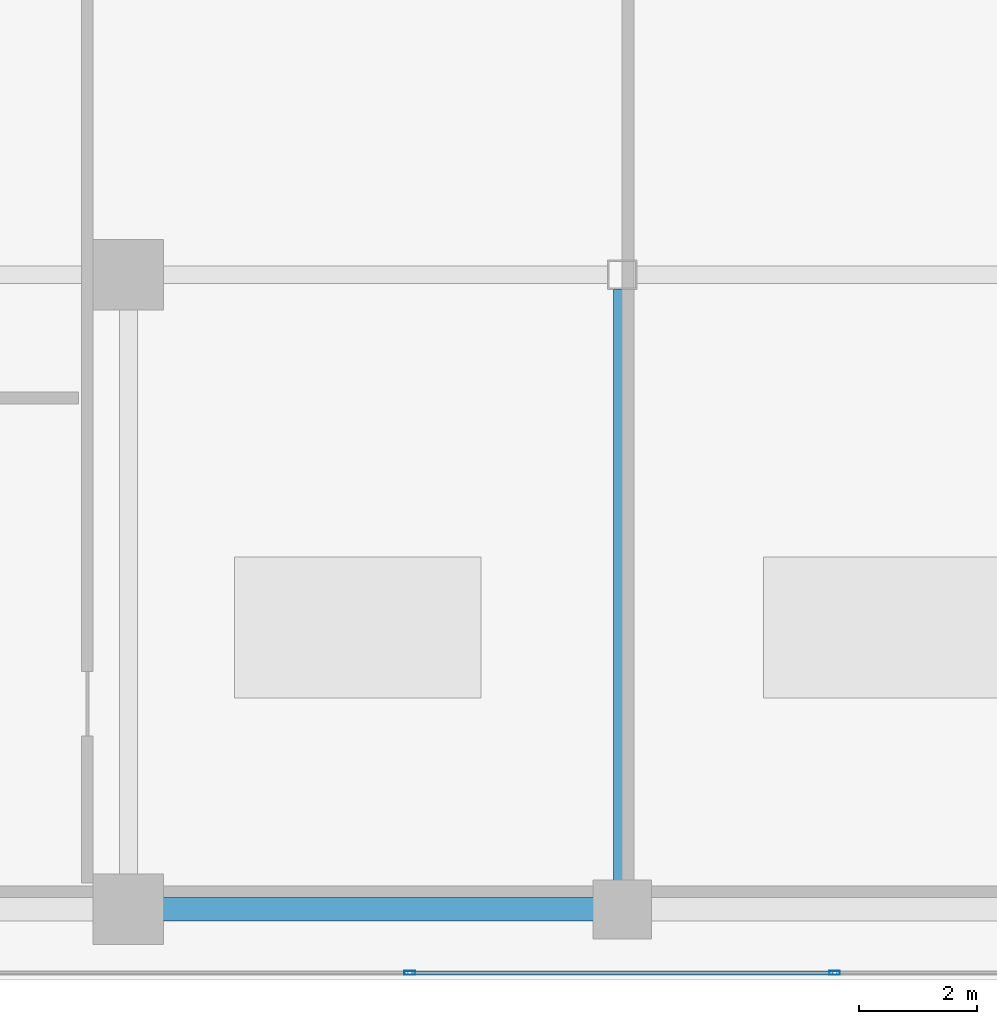
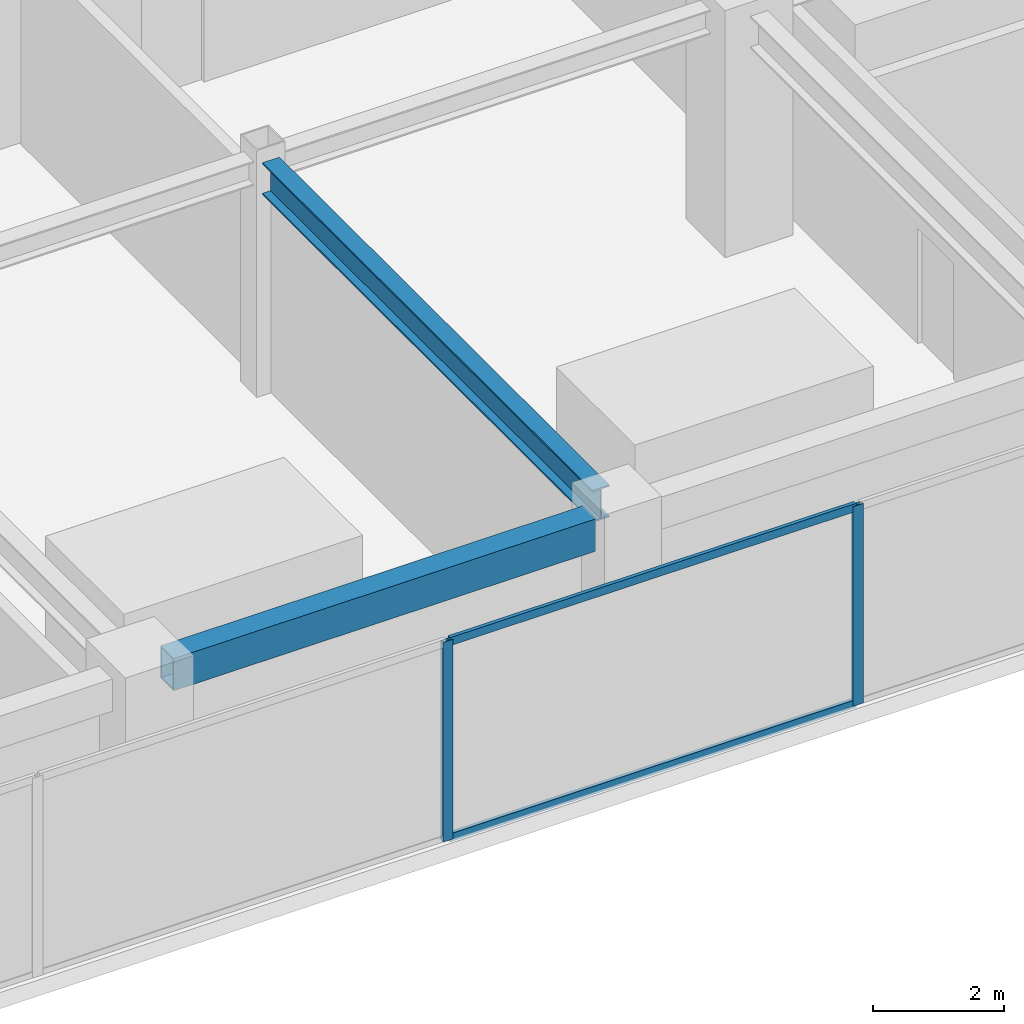
# One storey, part 5 of 19: 4 members, 2 beams, 1 element without a shape of its own.
"""IFC4 building model written with IfcOpenShell, lengths in metres."""

from ifc_helpers import new_model, si_unit, direction, frame, origin, origin_2d, place, context, subcontext, project, spatial, hollow_rectangle, i_section, extrude, source, transform, mapped, material, layer, layer_set, material_profile, profile_set, type_object, element, aggregate, save


model = new_model("IFC4")

# Units and contexts
model_context = context("Model", 3, precision=1e-05, world=origin(), true_north=direction((0.0, 1.0)))
body_context = subcontext(model_context, "Body", "Model", "MODEL_VIEW")
ifc_project = project(units=[si_unit("LENGTHUNIT", "METRE"), si_unit("AREAUNIT", "SQUARE_METRE"), si_unit("VOLUMEUNIT", "CUBIC_METRE"), si_unit("PLANEANGLEUNIT", "RADIAN"), si_unit("MASSUNIT", "GRAM", prefix="KILO")], contexts=[model_context])

# Site, building, storey
site_placement = place(None, origin())
site = spatial("IfcSite", under=ifc_project, at=site_placement, CompositionType="ELEMENT")
building_placement = place(site_placement, origin())
building = spatial("IfcBuilding", under=site, at=building_placement, Name="Sumidabori Civic Tower", CompositionType="ELEMENT")
storey_placement = place(building_placement, frame((0.0, 0.0, 293.60009765625)))
storey = spatial("IfcBuildingStorey", under=building, at=storey_placement, Name="L77", CompositionType="ELEMENT", Elevation=293.60009765625)

# Beams
ifc_material_1 = material(Name="Steel SN490", Category="steel")
ifc_material_profile_1 = material_profile(ifc_material_1, i_section(OverallWidth=0.300048828125, OverallDepth=0.60009765625, WebThickness=0.015380859375, FlangeThickness=0.030029296875, at=origin_2d()), Name="HE 600 B")
ifc_profile_set_1 = profile_set([ifc_material_profile_1], Name="Steel SN490")
beam_type_1 = type_object("IfcBeamType", Name="BM-GIRD-600", PredefinedType="BEAM", material=ifc_profile_set_1)
shared_shape_1 = source(origin(), body_context, "Body", "SweptSolid", [
    extrude(i_section(OverallWidth=0.300048828125, OverallDepth=0.60009765625, WebThickness=0.015380859375, FlangeThickness=0.030029296875, at=origin_2d()), origin(), (0.0, 0.0, 1.0), 10.070068359375),
])
beam_1_placement = place(storey_placement, frame((0.0, -10.320068359375, 4.039794921875), z_axis=(0.0, 1.0, 0.0), x_axis=(-1.0, 0.0, 0.0)))
element("IfcBeam", 1, at=beam_1_placement, inside=storey, type_object=beam_type_1, Name="Primary Girder L77 GY-06", PredefinedType="BEAM", context=body_context, shape_type="MappedRepresentation", body=[
    mapped(shared_shape_1, transform((0.0, 0.0, 0.0), x_axis=(1.0, 0.0, 0.0), y_axis=(0.0, 1.0, 0.0), z_axis=(0.0, 0.0, 1.0), scale=1.0)),
])
ifc_material_profile_2 = material_profile(ifc_material_1, hollow_rectangle(XDim=0.39990234375, YDim=0.60009765625, WallThickness=0.02490234375, at=origin_2d()), Name="RHS 600x400x25")
ifc_profile_set_2 = profile_set([ifc_material_profile_2], Name="Steel SN490")
beam_type_2 = type_object("IfcBeamType", Name="BM-CRN-RING", PredefinedType="BEAM", material=ifc_profile_set_2)
shared_shape_2 = source(origin(), body_context, "Body", "SweptSolid", [
    extrude(hollow_rectangle(XDim=0.39990234375, YDim=0.60009765625, WallThickness=0.02490234375, at=origin_2d()), origin(), (0.0, 0.0, 1.0), 7.43994140625),
])
beam_2_placement = place(storey_placement, frame((-7.919921875, -10.800048828125, 4.039794921875), z_axis=(1.0, 0.0, 0.0), x_axis=(0.0, 1.0, 0.0)))
element("IfcBeam", 2, at=beam_2_placement, inside=storey, type_object=beam_type_2, Name="Crown Base Ring Beam BR-1-02", PredefinedType="BEAM", context=body_context, shape_type="MappedRepresentation", body=[
    mapped(shared_shape_2, transform((0.0, 0.0, 0.0), x_axis=(1.0, 0.0, 0.0), y_axis=(0.0, 1.0, 0.0), z_axis=(0.0, 0.0, 1.0), scale=1.0)),
])

# Curtain wall, members
ifc_material_2 = material(Name="Anodised Bronze Aluminium AW-6063-T6", Category="aluminium")
ifc_layer = layer(ifc_material_2, 0.179931640625, Name="Anodised Bronze Aluminium AW-6063-T6")
ifc_layer_set = layer_set([ifc_layer], Name="Anodised Bronze Aluminium AW-6063-T6")
curtain_wall_type = type_object("IfcCurtainWallType", Name="CW-SYS-6", PredefinedType="NOTDEFINED", material=ifc_layer_set)
curtain_wall_placement = place(storey_placement, origin())
curtain_wall = element("IfcCurtainWall", 3, at=curtain_wall_placement, inside=storey, type_object=curtain_wall_type, Name="Curtain Wall CW:L77:R01", PredefinedType="NOTDEFINED")
ifc_material_profile_3 = material_profile(ifc_material_2, hollow_rectangle(XDim=0.06494140625, YDim=0.14990234375, WallThickness=0.0048828125, at=origin_2d()), Name="ALU TRANSOM 150x65")
ifc_profile_set_3 = profile_set([ifc_material_profile_3], Name="Anodised Bronze Aluminium AW-6063-T6")
member_type_1 = type_object("IfcMemberType", Name="CW-TRN-150", PredefinedType="USERDEFINED", material=ifc_profile_set_3)
shared_shape_3 = source(origin(), body_context, "Body", "SweptSolid", [
    extrude(hollow_rectangle(XDim=0.06494140625, YDim=0.14990234375, WallThickness=0.0048828125, at=origin_2d()), origin(), (0.0, 0.0, 1.0), 7.158203125),
])
member_1_placement = place(storey_placement, frame((-3.5791015625, -11.8798828125, 0.032470703125), z_axis=(1.0, 0.0, 0.0), x_axis=(0.0, 1.0, 0.0)))
member_1 = element("IfcMember", 4, at=member_1_placement, type_object=member_type_1, Name="CW-6 transom 3.1", ObjectType="TRANSOM", PredefinedType="USERDEFINED", context=body_context, shape_type="MappedRepresentation", body=[
    mapped(shared_shape_3, transform((0.0, 0.0, 0.0), x_axis=(1.0, 0.0, 0.0), y_axis=(0.0, 1.0, 0.0), z_axis=(0.0, 0.0, 1.0), scale=1.0)),
])
member_2_placement = place(storey_placement, frame((-3.5791015625, -11.8798828125, 3.6875), z_axis=(1.0, 0.0, 0.0), x_axis=(0.0, 1.0, 0.0)))
member_2 = element("IfcMember", 5, at=member_2_placement, type_object=member_type_1, Name="CW-6 transom 3.2", ObjectType="TRANSOM", PredefinedType="USERDEFINED", context=body_context, shape_type="MappedRepresentation", body=[
    mapped(shared_shape_3, transform((0.0, 0.0, 0.0), x_axis=(1.0, 0.0, 0.0), y_axis=(0.0, 1.0, 0.0), z_axis=(0.0, 0.0, 1.0), scale=1.0)),
])
ifc_material_profile_4 = material_profile(ifc_material_2, hollow_rectangle(XDim=0.070068359375, YDim=0.179931640625, WallThickness=0.006103515625, at=origin_2d()), Name="ALU MULLION 180x70")
ifc_profile_set_4 = profile_set([ifc_material_profile_4], Name="Anodised Bronze Aluminium AW-6063-T6")
member_type_2 = type_object("IfcMemberType", Name="CW-MUL-180", PredefinedType="MULLION", material=ifc_profile_set_4)
shared_shape_4 = source(origin(), body_context, "Body", "SweptSolid", [
    extrude(hollow_rectangle(XDim=0.070068359375, YDim=0.179931640625, WallThickness=0.006103515625, at=origin_2d()), origin(), (0.0, 0.0, 1.0), 3.719970703125),
])
member_3_placement = place(storey_placement, frame((-3.614013671875, -11.8798828125, 0.0), z_axis=(0.0, 0.0, 1.0), x_axis=(0.0, 1.0, 0.0)))
member_3 = element("IfcMember", 6, at=member_3_placement, type_object=member_type_2, Name="CW-6 mullion 3", PredefinedType="MULLION", context=body_context, shape_type="MappedRepresentation", body=[
    mapped(shared_shape_4, transform((0.0, 0.0, 0.0), x_axis=(1.0, 0.0, 0.0), y_axis=(0.0, 1.0, 0.0), z_axis=(0.0, 0.0, 1.0), scale=1.0)),
])
member_4_placement = place(storey_placement, frame((3.614013671875, -11.8798828125, 0.0), z_axis=(0.0, 0.0, 1.0), x_axis=(0.0, 1.0, 0.0)))
member_4 = element("IfcMember", 7, at=member_4_placement, type_object=member_type_2, Name="CW-6 mullion 4", PredefinedType="MULLION", context=body_context, shape_type="MappedRepresentation", body=[
    mapped(shared_shape_4, transform((0.0, 0.0, 0.0), x_axis=(1.0, 0.0, 0.0), y_axis=(0.0, 1.0, 0.0), z_axis=(0.0, 0.0, 1.0), scale=1.0)),
])
aggregate(curtain_wall, [member_3, member_4, member_1, member_2])

save(model, "model.ifc")
